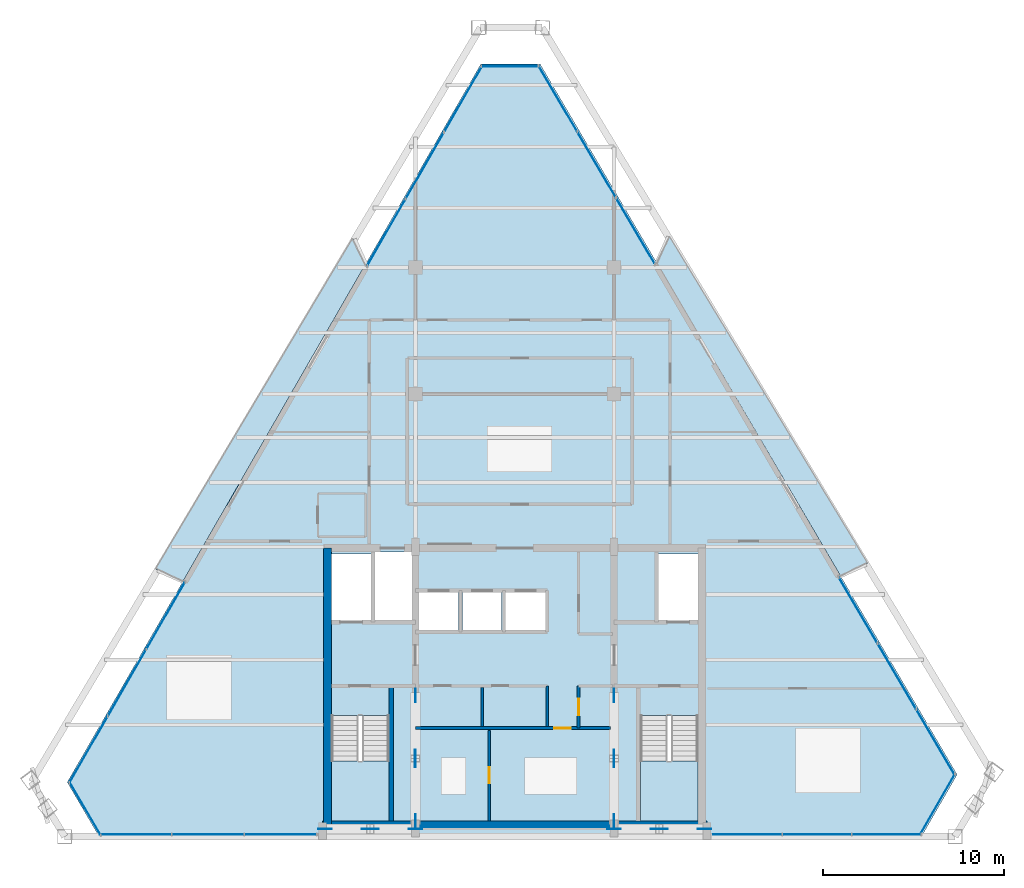
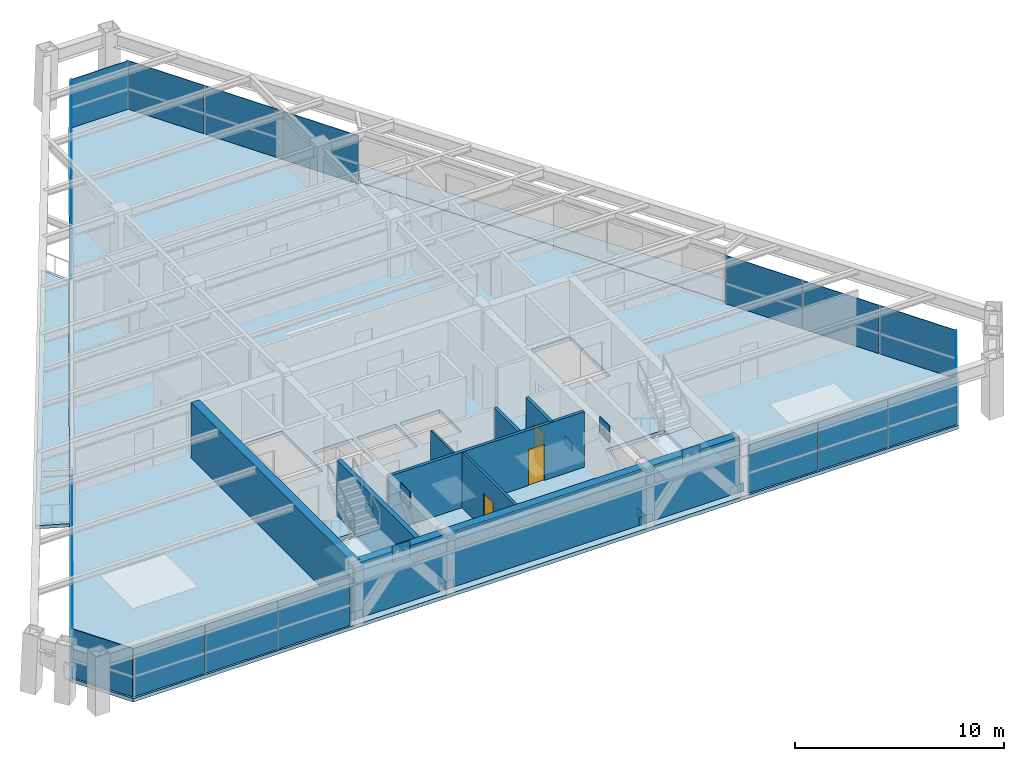
# One storey, part 8 of 13: 33 plates, 8 walls, 5 slabs, 3 doors, 3 openings, 11 elements without a shape of their own.
"""IFC4 building model written with IfcOpenShell, lengths in metres."""

from ifc_helpers import new_model, si_unit, direction, frame, frame_2d, origin, origin_2d, place, context, subcontext, project, spatial, polyline, rectangle, outline, extrude, source, transform, mapped, material, layer, layer_set, type_object, type_shapes, element, fill, aggregate, save


model = new_model("IFC4")

# Units and contexts
model_context = context("Model", 3, precision=1e-05, world=origin(), true_north=direction((0.0, 1.0)))
body_context = subcontext(model_context, "Body", "Model", "MODEL_VIEW")
ifc_project = project(units=[si_unit("LENGTHUNIT", "METRE"), si_unit("AREAUNIT", "SQUARE_METRE"), si_unit("VOLUMEUNIT", "CUBIC_METRE"), si_unit("PLANEANGLEUNIT", "RADIAN"), si_unit("MASSUNIT", "GRAM", prefix="KILO")], contexts=[model_context])

# Site, building, storey
site_placement = place(None, origin())
site = spatial("IfcSite", under=ifc_project, at=site_placement, CompositionType="ELEMENT")
building_placement = place(site_placement, origin())
building = spatial("IfcBuilding", under=site, at=building_placement, Name="Varnakhor Terracotta Tower", CompositionType="ELEMENT")
storey_placement = place(building_placement, frame((0.0, 0.0, 283.35009765625)))
storey = spatial("IfcBuildingStorey", under=building, at=storey_placement, Name="L74", CompositionType="ELEMENT", Elevation=283.35009765625)

# Slab
ifc_material_1 = material(Name="Concrete C40/50", Category="concrete")
ifc_layer_1 = layer(ifc_material_1, 0.2099609375, Name="Concrete C40/50")
ifc_layer_set_1 = layer_set([ifc_layer_1], Name="Concrete C40/50")
slab_type_1 = type_object("IfcSlabType", Name="SLB-HTL-210", PredefinedType="FLOOR", material=ifc_layer_set_1)
slab_1_placement = place(storey_placement, frame((0.0, 0.0, -0.210205078125)))
element("IfcSlab", 1, at=slab_1_placement, inside=storey, type_object=slab_type_1, Name="L74 Structural Floor Slab", PredefinedType="FLOOR", context=body_context, shape_type="SweptSolid", body=[
    extrude(outline(polyline([(-24.77734375, 3.007080078125), (-1.879150390625, 42.772705078125), (1.407958984375, 42.772705078125), (24.49560546875, 3.430908203125), (22.52001953125, 0.0), (-23.0126953125, 0.0), (-24.77734375, 3.007080078125)]), holes=[polyline([(-6.949951171875, 0.85009765625), (-6.949951171875, 6.695068359375), (-10.14990234375, 6.695068359375), (-10.14990234375, 0.85009765625), (-6.949951171875, 0.85009765625)]), polyline([(10.14990234375, 0.85009765625), (10.14990234375, 6.695068359375), (6.949951171875, 6.695068359375), (6.949951171875, 0.85009765625), (10.14990234375, 0.85009765625)]), polyline([(-3.10009765625, 11.419921875), (-3.10009765625, 13.52001953125), (-5.300048828125, 13.52001953125), (-5.300048828125, 11.419921875), (-3.10009765625, 11.419921875)]), polyline([(-0.719970703125, 11.419921875), (-0.719970703125, 13.52001953125), (-2.8798828125, 13.52001953125), (-2.8798828125, 11.419921875), (-0.719970703125, 11.419921875)]), polyline([(1.699951171875, 11.419921875), (1.699951171875, 13.52001953125), (-0.5, 13.52001953125), (-0.5, 11.419921875), (1.699951171875, 11.419921875)]), polyline([(-7.949951171875, 11.8798828125), (-7.949951171875, 15.64990234375), (-10.14990234375, 15.64990234375), (-10.14990234375, 11.8798828125), (-7.949951171875, 11.8798828125)]), polyline([(10.14990234375, 11.8798828125), (10.14990234375, 15.64990234375), (7.949951171875, 15.64990234375), (7.949951171875, 11.8798828125), (10.14990234375, 11.8798828125)]), polyline([(-5.699951171875, 11.8798828125), (-5.699951171875, 15.75), (-7.72998046875, 15.75), (-7.72998046875, 11.8798828125), (-5.699951171875, 11.8798828125)])]), origin(), (0.0, 0.0, 1.0), 0.210205078125),
])

# Stair, slab
stair_type = type_object("IfcStairType", Name="STR-CORE-HOTEL-1500", PredefinedType="HALF_TURN_STAIR", material=ifc_material_1)
stair_1_placement = place(storey_placement, origin())
stair_1 = element("IfcStair", 2, at=stair_1_placement, inside=storey, type_object=stair_type, Name="L74 Core Exit Stair ST-1", PredefinedType="HALF_TURN_STAIR")
ifc_layer_2 = layer(ifc_material_1, 0.179931640625, Name="Concrete C40/50")
ifc_layer_set_2 = layer_set([ifc_layer_2], Name="Concrete C40/50")
slab_type_2 = type_object("IfcSlabType", Name="SLB-LANDING-180", PredefinedType="LANDING", material=ifc_layer_set_2)
slab_2_placement = place(storey_placement, frame((0.0, 0.0, 1.52490234375)))
slab_2 = element("IfcSlab", 3, at=slab_2_placement, type_object=slab_type_2, Name="ST-1 landing 1", PredefinedType="LANDING", context=body_context, shape_type="SweptSolid", body=[
    extrude(outline(polyline([(-10.14990234375, 4.18994140625), (-10.14990234375, 0.85009765625), (-6.949951171875, 0.85009765625), (-6.949951171875, 4.18994140625), (-10.14990234375, 4.18994140625)])), origin(), (0.0, 0.0, 1.0), 0.199951171875),
])
aggregate(stair_1, [slab_2])

stair_2_placement = place(storey_placement, origin())
stair_2 = element("IfcStair", 4, at=stair_2_placement, inside=storey, type_object=stair_type, Name="L74 Core Exit Stair ST-2", PredefinedType="HALF_TURN_STAIR")
slab_3_placement = place(storey_placement, frame((0.0, 0.0, 1.52490234375)))
slab_3 = element("IfcSlab", 5, at=slab_3_placement, type_object=slab_type_2, Name="ST-2 landing 1", PredefinedType="LANDING", context=body_context, shape_type="SweptSolid", body=[
    extrude(outline(polyline([(6.949951171875, 4.18994140625), (6.949951171875, 0.85009765625), (10.14990234375, 0.85009765625), (10.14990234375, 4.18994140625), (6.949951171875, 4.18994140625)])), origin(), (0.0, 0.0, 1.0), 0.199951171875),
])
aggregate(stair_2, [slab_3])

# Slabs
ifc_layer_3 = layer(ifc_material_1, 0.195068359375, Name="Concrete C40/50")
ifc_layer_set_3 = layer_set([ifc_layer_3], Name="Concrete C40/50")
slab_type_3 = type_object("IfcSlabType", Name="SLB-LOGGIA-EXT-195", PredefinedType="FLOOR", material=ifc_layer_set_3)
slab_4_placement = place(storey_placement, frame((0.0, 0.0, -0.195068359375)))
element("IfcSlab", 6, at=slab_4_placement, inside=storey, type_object=slab_type_3, Name="L74 E Recessed Outdoor Loggia Slab", PredefinedType="FLOOR", context=body_context, shape_type="SweptSolid", body=[
    extrude(outline(polyline([(8.540283203125, 33.25439453125), (19.533935546875, 15.127685546875), (18.031005859375, 14.446533203125), (7.87255859375, 31.757080078125), (8.540283203125, 33.25439453125)])), origin(), (0.0, 0.0, 1.0), 0.195068359375),
])
slab_5_placement = place(storey_placement, frame((0.0, 0.0, -0.195068359375)))
element("IfcSlab", 7, at=slab_5_placement, inside=storey, type_object=slab_type_3, Name="L74 W Recessed Outdoor Loggia Slab", PredefinedType="FLOOR", context=body_context, shape_type="SweptSolid", body=[
    extrude(outline(polyline([(-19.8837890625, 14.80810546875), (-8.96435546875, 33.130126953125), (-8.290771484375, 31.638427734375), (-18.365966796875, 14.141357421875), (-19.8837890625, 14.80810546875)])), origin(), (0.0, 0.0, 1.0), 0.195068359375),
])

# Plates
ifc_material_2 = material(Name="Steel S460", Category="steel")
ifc_layer_4 = layer(ifc_material_2, 0.050048828125, Name="Steel S460")
ifc_layer_set_4 = layer_set([ifc_layer_4], Name="Steel S460")
plate_type_1 = type_object("IfcPlateType", Name="PLT-GUSSET-50", PredefinedType="USERDEFINED", material=ifc_layer_set_4)
shared_shape_1 = source(origin(), body_context, "Body", "SweptSolid", [
    extrude(rectangle(XDim=0.75, YDim=0.0400390625, at=origin_2d()), origin(), (0.0, 0.0, 1.0), 0.550048828125),
])
type_shapes(plate_type_1, [shared_shape_1])
for number, where, z_axis, x_axis, name in (
    (8, (-10.5, 0.419921875, -0.09521484375), (0.0, 0.0, 1.0), (1.0, 0.0, 0.0), "L74 Core Brace Embed Plate CSWA"),
    (9, (-5.5, 0.419921875, -0.09521484375), (0.0, 0.0, 1.0), (1.0, 0.0, 0.0), "L74 Core Brace Embed Plate CSWB"),
    (10, (5.5, 0.419921875, -0.09521484375), (0.0, 0.0, 1.0), (1.0, 0.0, 0.0), "L74 Core Brace Embed Plate CSEA"),
    (11, (10.5, 0.419921875, -0.09521484375), (0.0, 0.0, 1.0), (1.0, 0.0, 0.0), "L74 Core Brace Embed Plate CSEB"),
    (12, (-5.5, 0.85009765625, -0.09521484375), (0.0, 0.0, 1.0), (0.0, 1.0, 0.0), "L74 Core Brace Embed Plate CWWA"),
    (13, (-5.5, 7.800048828125, -0.09521484375), (0.0, 0.0, 1.0), (0.0, 1.0, 0.0), "L74 Core Brace Embed Plate CWWB"),
    (14, (5.5, 0.85009765625, -0.09521484375), (0.0, 0.0, 1.0), (0.0, 1.0, 0.0), "L74 Core Brace Embed Plate CWEA"),
    (15, (5.5, 7.800048828125, -0.09521484375), (0.0, 0.0, 1.0), (0.0, 1.0, 0.0), "L74 Core Brace Embed Plate CWEB"),
):
    element("IfcPlate", number, at=place(storey_placement, frame(where, z_axis=z_axis, x_axis=x_axis)), inside=storey, type_object=plate_type_1, Name=name, ObjectType="GUSSET PLATE", PredefinedType="USERDEFINED", context=body_context, shape_type="MappedRepresentation", body=[
        mapped(shared_shape_1, transform((0.0, 0.0, 0.0), scale=1.0)),
    ])
shared_shape_2 = source(origin(), body_context, "Body", "SweptSolid", [
    extrude(rectangle(XDim=0.949951171875, YDim=0.044921875, at=origin_2d()), origin(), (0.0, 0.0, 1.0), 0.949951171875),
])
for number, where, z_axis, x_axis, name in (
    (16, (-8.0, 0.419921875, 2.61474609375), (0.0, 0.0, 1.0), (1.0, 0.0, 0.0), "L74 Core Brace Apex Gusset CSW"),
    (17, (8.0, 0.419921875, 2.61474609375), (0.0, 0.0, 1.0), (1.0, 0.0, 0.0), "L74 Core Brace Apex Gusset CSE"),
    (18, (-5.5, 4.324951171875, 2.61474609375), (0.0, 0.0, 1.0), (0.0, 1.0, 0.0), "L74 Core Brace Apex Gusset CWW"),
    (19, (5.5, 4.324951171875, 2.61474609375), (0.0, 0.0, 1.0), (0.0, 1.0, 0.0), "L74 Core Brace Apex Gusset CWE"),
):
    element("IfcPlate", number, at=place(storey_placement, frame(where, z_axis=z_axis, x_axis=x_axis)), inside=storey, type_object=plate_type_1, Name=name, ObjectType="GUSSET PLATE", PredefinedType="USERDEFINED", context=body_context, shape_type="MappedRepresentation", body=[
        mapped(shared_shape_2, transform((0.0, 0.0, 0.0), scale=1.0)),
    ])

# Curtain wall, plate
ifc_material_3 = material(Name="Anodised Aluminium Curtain Wall System", Category="aluminium")
curtain_wall_type = type_object("IfcCurtainWallType", Name="CW-SYS-HOTEL-LOGGIA", PredefinedType="NOTDEFINED", material=ifc_material_3)
curtain_wall_1_placement = place(storey_placement, origin())
curtain_wall_1 = element("IfcCurtainWall", 20, at=curtain_wall_1_placement, inside=storey, type_object=curtain_wall_type, Name="L74 Facet Curtain Wall 4", PredefinedType="NOTDEFINED")
ifc_material_4 = material(Name="Solar-Control Low-E Insulated Glass Panel", Category="glass")
ifc_layer_5 = layer(ifc_material_4, 0.033935546875, Name="Solar-Control Low-E Insulated Glass Panel")
ifc_layer_set_5 = layer_set([ifc_layer_5], Name="Solar-Control Low-E Insulated Glass Panel")
plate_type_2 = type_object("IfcPlateType", Name="CWP-04", PredefinedType="CURTAIN_PANEL", material=ifc_layer_set_5)
shared_shape_3 = source(origin(), body_context, "Body", "SweptSolid", [
    extrude(rectangle(XDim=3.85888671875, YDim=0.035888671875, at=origin_2d()), origin(), (0.0, 0.0, 1.0), 2.820068359375),
])
plate_1_placement = place(storey_placement, frame((23.40380859375, 1.775390625, 0.0), z_axis=(0.0, 0.0, 1.0), x_axis=(-0.499017203803, -0.866592078379, 0.0)))
plate_1 = element("IfcPlate", 21, at=plate_1_placement, type_object=plate_type_2, Name="L74 Facet Curtain Wall 4 Glazed Panel 1", PredefinedType="CURTAIN_PANEL", context=body_context, shape_type="MappedRepresentation", body=[
    mapped(shared_shape_3, transform((0.0, 0.0, 0.0), scale=1.0)),
])
aggregate(curtain_wall_1, [plate_1])

# Curtain wall, plates
curtain_wall_2_placement = place(storey_placement, origin())
curtain_wall_2 = element("IfcCurtainWall", 22, at=curtain_wall_2_placement, inside=storey, type_object=curtain_wall_type, Name="L74 W Facet Curtain Wall 1", PredefinedType="NOTDEFINED")
shared_shape_4 = source(origin(), body_context, "Body", "SweptSolid", [
    extrude(rectangle(XDim=4.222900390625, YDim=0.035888671875, at=origin_2d()), origin(), (0.0, 0.0, 1.0), 2.820068359375),
])
plate_2_placement = place(storey_placement, frame((-23.594970703125, 4.8203125, 0.0), z_axis=(0.0, 0.0, 1.0), x_axis=(0.499002078842, 0.86660078774, 0.0)))
plate_2 = element("IfcPlate", 23, at=plate_2_placement, type_object=plate_type_2, Name="L74 W Facet Curtain Wall 1 Glazed Panel 1", PredefinedType="CURTAIN_PANEL", context=body_context, shape_type="MappedRepresentation", body=[
    mapped(shared_shape_4, transform((0.0, 0.0, 0.0), scale=1.0)),
])
plate_3_placement = place(storey_placement, frame((-21.4677734375, 8.514404296875, 0.0), z_axis=(0.0, 0.0, 1.0), x_axis=(0.499002078842, 0.86660078774, 0.0)))
plate_3 = element("IfcPlate", 24, at=plate_3_placement, type_object=plate_type_2, Name="L74 W Facet Curtain Wall 1 Glazed Panel 2", PredefinedType="CURTAIN_PANEL", context=body_context, shape_type="MappedRepresentation", body=[
    mapped(shared_shape_4, transform((0.0, 0.0, 0.0), scale=1.0)),
])
plate_4_placement = place(storey_placement, frame((-19.340576171875, 12.20849609375, 0.0), z_axis=(0.0, 0.0, 1.0), x_axis=(0.499002078842, 0.86660078774, 0.0)))
plate_4 = element("IfcPlate", 25, at=plate_4_placement, type_object=plate_type_2, Name="L74 W Facet Curtain Wall 1 Glazed Panel 3", PredefinedType="CURTAIN_PANEL", context=body_context, shape_type="MappedRepresentation", body=[
    mapped(shared_shape_4, transform((0.0, 0.0, 0.0), scale=1.0)),
])
aggregate(curtain_wall_2, [plate_2, plate_3, plate_4])

curtain_wall_3_placement = place(storey_placement, origin())
curtain_wall_3 = element("IfcCurtainWall", 26, at=curtain_wall_3_placement, inside=storey, type_object=curtain_wall_type, Name="L74 W Facet Curtain Wall 2", PredefinedType="NOTDEFINED")
plate_5_placement = place(storey_placement, frame((-7.108154296875, 33.451416015625, 0.0), z_axis=(0.0, 0.0, 1.0), x_axis=(0.499002078842, 0.86660078774, 0.0)))
plate_5 = element("IfcPlate", 27, at=plate_5_placement, type_object=plate_type_2, Name="L74 W Facet Curtain Wall 2 Glazed Panel 1", PredefinedType="CURTAIN_PANEL", context=body_context, shape_type="MappedRepresentation", body=[
    mapped(shared_shape_4, transform((0.0, 0.0, 0.0), scale=1.0)),
])
plate_6_placement = place(storey_placement, frame((-4.98095703125, 37.145751953125, 0.0), z_axis=(0.0, 0.0, 1.0), x_axis=(0.499002078842, 0.86660078774, 0.0)))
plate_6 = element("IfcPlate", 28, at=plate_6_placement, type_object=plate_type_2, Name="L74 W Facet Curtain Wall 2 Glazed Panel 2", PredefinedType="CURTAIN_PANEL", context=body_context, shape_type="MappedRepresentation", body=[
    mapped(shared_shape_4, transform((0.0, 0.0, 0.0), scale=1.0)),
])
plate_7_placement = place(storey_placement, frame((-2.853759765625, 40.83984375, 0.0), z_axis=(0.0, 0.0, 1.0), x_axis=(0.499002078842, 0.86660078774, 0.0)))
plate_7 = element("IfcPlate", 29, at=plate_7_placement, type_object=plate_type_2, Name="L74 W Facet Curtain Wall 2 Glazed Panel 3", PredefinedType="CURTAIN_PANEL", context=body_context, shape_type="MappedRepresentation", body=[
    mapped(shared_shape_4, transform((0.0, 0.0, 0.0), scale=1.0)),
])
aggregate(curtain_wall_3, [plate_5, plate_6, plate_7])

# Curtain wall, plate
curtain_wall_4_placement = place(storey_placement, origin())
curtain_wall_4 = element("IfcCurtainWall", 30, at=curtain_wall_4_placement, inside=storey, type_object=curtain_wall_type, Name="L74 Facet Curtain Wall 2", PredefinedType="NOTDEFINED")
shared_shape_5 = source(origin(), body_context, "Body", "SweptSolid", [
    extrude(rectangle(XDim=3.18701171875, YDim=0.035888671875, at=origin_2d()), origin(), (0.0, 0.0, 1.0), 2.820068359375),
])
plate_8_placement = place(storey_placement, frame((-0.235595703125, 42.65283203125, 0.0), z_axis=(0.0, 0.0, 1.0), x_axis=(1.0, 0.0, 0.0)))
plate_8 = element("IfcPlate", 31, at=plate_8_placement, type_object=plate_type_2, Name="L74 Facet Curtain Wall 2 Glazed Panel 1", PredefinedType="CURTAIN_PANEL", context=body_context, shape_type="MappedRepresentation", body=[
    mapped(shared_shape_5, transform((0.0, 0.0, 0.0), scale=1.0)),
])
aggregate(curtain_wall_4, [plate_8])

# Curtain wall, plates
curtain_wall_5_placement = place(storey_placement, origin())
curtain_wall_5 = element("IfcCurtainWall", 32, at=curtain_wall_5_placement, inside=storey, type_object=curtain_wall_type, Name="L74 E Facet Curtain Wall 1", PredefinedType="NOTDEFINED")
shared_shape_6 = source(origin(), body_context, "Body", "SweptSolid", [
    extrude(rectangle(XDim=4.197509765625, YDim=0.035888671875, at=origin_2d()), origin(), (0.0, 0.0, 1.0), 2.820068359375),
])
plate_9_placement = place(storey_placement, frame((2.39208984375, 40.85888671875, 0.0), z_axis=(0.0, 0.0, 1.0), x_axis=(0.506124083567, -0.862460672746, 0.0)))
plate_9 = element("IfcPlate", 33, at=plate_9_placement, type_object=plate_type_2, Name="L74 E Facet Curtain Wall 1 Glazed Panel 1", PredefinedType="CURTAIN_PANEL", context=body_context, shape_type="MappedRepresentation", body=[
    mapped(shared_shape_6, transform((0.0, 0.0, 0.0), scale=1.0)),
])
plate_10_placement = place(storey_placement, frame((4.53662109375, 37.2041015625, 0.0), z_axis=(0.0, 0.0, 1.0), x_axis=(0.506124083567, -0.862460672746, 0.0)))
plate_10 = element("IfcPlate", 34, at=plate_10_placement, type_object=plate_type_2, Name="L74 E Facet Curtain Wall 1 Glazed Panel 2", PredefinedType="CURTAIN_PANEL", context=body_context, shape_type="MappedRepresentation", body=[
    mapped(shared_shape_6, transform((0.0, 0.0, 0.0), scale=1.0)),
])
plate_11_placement = place(storey_placement, frame((6.681396484375, 33.549560546875, 0.0), z_axis=(0.0, 0.0, 1.0), x_axis=(0.506124083567, -0.862460672746, 0.0)))
plate_11 = element("IfcPlate", 35, at=plate_11_placement, type_object=plate_type_2, Name="L74 E Facet Curtain Wall 1 Glazed Panel 3", PredefinedType="CURTAIN_PANEL", context=body_context, shape_type="MappedRepresentation", body=[
    mapped(shared_shape_6, transform((0.0, 0.0, 0.0), scale=1.0)),
])
aggregate(curtain_wall_5, [plate_9, plate_10, plate_11])

curtain_wall_6_placement = place(storey_placement, origin())
curtain_wall_6 = element("IfcCurtainWall", 36, at=curtain_wall_6_placement, inside=storey, type_object=curtain_wall_type, Name="L74 E Facet Curtain Wall 2", PredefinedType="NOTDEFINED")
plate_12_placement = place(storey_placement, frame((19.01513671875, 12.53271484375, 0.0), z_axis=(0.0, 0.0, 1.0), x_axis=(0.506124083567, -0.862460672746, 0.0)))
plate_12 = element("IfcPlate", 37, at=plate_12_placement, type_object=plate_type_2, Name="L74 E Facet Curtain Wall 2 Glazed Panel 1", PredefinedType="CURTAIN_PANEL", context=body_context, shape_type="MappedRepresentation", body=[
    mapped(shared_shape_6, transform((0.0, 0.0, 0.0), scale=1.0)),
])
plate_13_placement = place(storey_placement, frame((21.159912109375, 8.8779296875, 0.0), z_axis=(0.0, 0.0, 1.0), x_axis=(0.506124083567, -0.862460672746, 0.0)))
plate_13 = element("IfcPlate", 38, at=plate_13_placement, type_object=plate_type_2, Name="L74 E Facet Curtain Wall 2 Glazed Panel 2", PredefinedType="CURTAIN_PANEL", context=body_context, shape_type="MappedRepresentation", body=[
    mapped(shared_shape_6, transform((0.0, 0.0, 0.0), scale=1.0)),
])
plate_14_placement = place(storey_placement, frame((23.304443359375, 5.223388671875, 0.0), z_axis=(0.0, 0.0, 1.0), x_axis=(0.506124083567, -0.862460672746, 0.0)))
plate_14 = element("IfcPlate", 39, at=plate_14_placement, type_object=plate_type_2, Name="L74 E Facet Curtain Wall 2 Glazed Panel 3", PredefinedType="CURTAIN_PANEL", context=body_context, shape_type="MappedRepresentation", body=[
    mapped(shared_shape_6, transform((0.0, 0.0, 0.0), scale=1.0)),
])
aggregate(curtain_wall_6, [plate_12, plate_13, plate_14])

curtain_wall_7_placement = place(storey_placement, origin())
curtain_wall_7 = element("IfcCurtainWall", 40, at=curtain_wall_7_placement, inside=storey, type_object=curtain_wall_type, Name="L74 South Wing Curtain Wall SSE", PredefinedType="NOTDEFINED")
shared_shape_7 = source(origin(), body_context, "Body", "SweptSolid", [
    extrude(rectangle(XDim=3.806640625, YDim=0.035888671875, at=origin_2d()), origin(), (0.0, 0.0, 1.0), 2.820068359375),
])
plate_15_placement = place(storey_placement, frame((20.586669921875, 0.1201171875, 0.0), z_axis=(0.0, 0.0, 1.0), x_axis=(-1.0, 0.0, 0.0)))
plate_15 = element("IfcPlate", 41, at=plate_15_placement, type_object=plate_type_2, Name="L74 South Wing Curtain Wall SSE Glazed Panel 1", PredefinedType="CURTAIN_PANEL", context=body_context, shape_type="MappedRepresentation", body=[
    mapped(shared_shape_7, transform((0.0, 0.0, 0.0), scale=1.0)),
])
plate_16_placement = place(storey_placement, frame((16.739990234375, 0.1201171875, 0.0), z_axis=(0.0, 0.0, 1.0), x_axis=(-1.0, 0.0, 0.0)))
plate_16 = element("IfcPlate", 42, at=plate_16_placement, type_object=plate_type_2, Name="L74 South Wing Curtain Wall SSE Glazed Panel 2", PredefinedType="CURTAIN_PANEL", context=body_context, shape_type="MappedRepresentation", body=[
    mapped(shared_shape_7, transform((0.0, 0.0, 0.0), scale=1.0)),
])
plate_17_placement = place(storey_placement, frame((12.893310546875, 0.1201171875, 0.0), z_axis=(0.0, 0.0, 1.0), x_axis=(-1.0, 0.0, 0.0)))
plate_17 = element("IfcPlate", 43, at=plate_17_placement, type_object=plate_type_2, Name="L74 South Wing Curtain Wall SSE Glazed Panel 3", PredefinedType="CURTAIN_PANEL", context=body_context, shape_type="MappedRepresentation", body=[
    mapped(shared_shape_7, transform((0.0, 0.0, 0.0), scale=1.0)),
])
aggregate(curtain_wall_7, [plate_15, plate_16, plate_17])

curtain_wall_8_placement = place(storey_placement, origin())
curtain_wall_8 = element("IfcCurtainWall", 44, at=curtain_wall_8_placement, inside=storey, type_object=curtain_wall_type, Name="L74 South Wing Curtain Wall SSW", PredefinedType="NOTDEFINED")
shared_shape_8 = source(origin(), body_context, "Body", "SweptSolid", [
    extrude(rectangle(XDim=3.970947265625, YDim=0.035888671875, at=origin_2d()), origin(), (0.0, 0.0, 1.0), 2.820068359375),
])
plate_18_placement = place(storey_placement, frame((-12.9755859375, 0.1201171875, 0.0), z_axis=(0.0, 0.0, 1.0), x_axis=(-1.0, 0.0, 0.0)))
plate_18 = element("IfcPlate", 45, at=plate_18_placement, type_object=plate_type_2, Name="L74 South Wing Curtain Wall SSW Glazed Panel 1", PredefinedType="CURTAIN_PANEL", context=body_context, shape_type="MappedRepresentation", body=[
    mapped(shared_shape_8, transform((0.0, 0.0, 0.0), scale=1.0)),
])
plate_19_placement = place(storey_placement, frame((-16.986328125, 0.1201171875, 0.0), z_axis=(0.0, 0.0, 1.0), x_axis=(-1.0, 0.0, 0.0)))
plate_19 = element("IfcPlate", 46, at=plate_19_placement, type_object=plate_type_2, Name="L74 South Wing Curtain Wall SSW Glazed Panel 2", PredefinedType="CURTAIN_PANEL", context=body_context, shape_type="MappedRepresentation", body=[
    mapped(shared_shape_8, transform((0.0, 0.0, 0.0), scale=1.0)),
])
plate_20_placement = place(storey_placement, frame((-20.997314453125, 0.1201171875, 0.0), z_axis=(0.0, 0.0, 1.0), x_axis=(-1.0, 0.0, 0.0)))
plate_20 = element("IfcPlate", 47, at=plate_20_placement, type_object=plate_type_2, Name="L74 South Wing Curtain Wall SSW Glazed Panel 3", PredefinedType="CURTAIN_PANEL", context=body_context, shape_type="MappedRepresentation", body=[
    mapped(shared_shape_8, transform((0.0, 0.0, 0.0), scale=1.0)),
])
aggregate(curtain_wall_8, [plate_18, plate_19, plate_20])

# Curtain wall, plate
curtain_wall_9_placement = place(storey_placement, origin())
curtain_wall_9 = element("IfcCurtainWall", 48, at=curtain_wall_9_placement, inside=storey, type_object=curtain_wall_type, Name="L74 Facet Curtain Wall 6", PredefinedType="NOTDEFINED")
shared_shape_9 = source(origin(), body_context, "Body", "SweptSolid", [
    extrude(rectangle(XDim=3.38671875, YDim=0.035888671875, at=origin_2d()), origin(), (0.0, 0.0, 1.0), 2.820068359375),
])
plate_21_placement = place(storey_placement, frame((-23.79150390625, 1.564208984375, 0.0), z_axis=(0.0, 0.0, 1.0), x_axis=(-0.506124083567, 0.862460672746, 0.0)))
plate_21 = element("IfcPlate", 49, at=plate_21_placement, type_object=plate_type_2, Name="L74 Facet Curtain Wall 6 Glazed Panel 1", PredefinedType="CURTAIN_PANEL", context=body_context, shape_type="MappedRepresentation", body=[
    mapped(shared_shape_9, transform((0.0, 0.0, 0.0), scale=1.0)),
])
aggregate(curtain_wall_9, [plate_21])

# Walls
ifc_material_5 = material(Name="Concrete C50/60", Category="concrete")
ifc_layer_6 = layer(ifc_material_5, 0.449951171875, Name="Concrete C50/60")
ifc_layer_set_6 = layer_set([ifc_layer_6], Name="Concrete C50/60")
wall_type_1 = type_object("IfcWallType", Name="WAL-CORE-450", PredefinedType="SHEAR", material=ifc_layer_set_6)
wall_1_placement = place(storey_placement, frame((-10.64990234375, 0.625, 0.0), z_axis=(0.0, 0.0, 1.0), x_axis=(1.0, 0.0, 0.0)))
element("IfcWall", 50, at=wall_1_placement, inside=storey, type_object=wall_type_1, Name="L74 South Core Shear Wall", PredefinedType="SHEAR", context=body_context, shape_type="SweptSolid", body=[
    extrude(rectangle(XDim=21.2998046875, YDim=0.449951171875, at=frame_2d((10.64990234375, 0.0))), origin(), (0.0, 0.0, 1.0), 3.239990234375),
])
wall_2_placement = place(storey_placement, frame((-10.375, 0.625, 0.0), z_axis=(0.0, 0.0, 1.0), x_axis=(0.0, 1.0, 0.0)))
element("IfcWall", 51, at=wall_2_placement, inside=storey, type_object=wall_type_1, Name="L74 West Core Shear Wall", PredefinedType="SHEAR", context=body_context, shape_type="SweptSolid", body=[
    extrude(rectangle(XDim=15.35009765625, YDim=0.449951171875, at=frame_2d((7.675048828125, 0.0))), origin(), (0.0, 0.0, 1.0), 3.239990234375),
])
ifc_layer_7 = layer(ifc_material_1, 0.25, Name="Concrete C40/50")
ifc_layer_set_7 = layer_set([ifc_layer_7], Name="Concrete C40/50")
wall_type_2 = type_object("IfcWallType", Name="WAL-SHAFT-250", PredefinedType="SOLIDWALL", material=ifc_layer_set_7)
wall_3_placement = place(storey_placement, frame((-6.85009765625, 0.85009765625, 0.0), z_axis=(0.0, 0.0, 1.0), x_axis=(0.0, 1.0, 0.0)))
element("IfcWall", 52, at=wall_3_placement, inside=storey, type_object=wall_type_2, Name="L74 Stair ST-1 Bearing Shaft Wall", PredefinedType="SOLIDWALL", context=body_context, shape_type="SweptSolid", body=[
    extrude(rectangle(XDim=7.5, YDim=0.25, at=frame_2d((3.75, 0.0))), origin(), (0.0, 0.0, 1.0), 3.239990234375),
])
ifc_material_6 = material(Name="Acoustic Fire-Rated Partition", Category="gypsum")
ifc_layer_8 = layer(ifc_material_6, 0.114990234375, Name="Acoustic Fire-Rated Partition")
ifc_layer_set_8 = layer_set([ifc_layer_8], Name="Acoustic Fire-Rated Partition")
wall_type_3 = type_object("IfcWallType", Name="WAL-TENANCY-115", PredefinedType="PARTITIONING", material=ifc_layer_set_8)
wall_4_placement = place(storey_placement, frame((-1.800048828125, 6.10009765625, 0.0), z_axis=(0.0, 0.0, 1.0), x_axis=(0.0, 1.0, 0.0)))
element("IfcWall", 53, at=wall_4_placement, inside=storey, type_object=wall_type_3, Name="L74 Reclaimed Mid-Core Split Wall", PredefinedType="PARTITIONING", context=body_context, shape_type="SweptSolid", body=[
    extrude(rectangle(XDim=2.14990234375, YDim=0.114990234375, at=frame_2d((1.074951171875, 0.0))), origin(), (0.0, 0.0, 1.0), 3.23193359375),
])

# Wall, opening, door
ifc_layer_9 = layer(ifc_material_6, 0.139892578125, Name="Acoustic Fire-Rated Partition")
ifc_layer_set_9 = layer_set([ifc_layer_9], Name="Acoustic Fire-Rated Partition")
wall_type_4 = type_object("IfcWallType", Name="WAL-TENANCY-140", PredefinedType="PARTITIONING", material=ifc_layer_set_9)
wall_5_placement = place(storey_placement, frame((-1.39990234375, 0.85009765625, 0.0), z_axis=(0.0, 0.0, 1.0), x_axis=(0.0, 1.0, 0.0)))
wall_5 = element("IfcWall", 54, at=wall_5_placement, inside=storey, type_object=wall_type_4, Name="L74 Reclaimed Core Bay Split Wall", PredefinedType="PARTITIONING", context=body_context, shape_type="SweptSolid", body=[
    extrude(rectangle(XDim=5.02978515625, YDim=0.139892578125, at=frame_2d((2.514892578125, 0.0))), origin(), (0.0, 0.0, 1.0), 3.23193359375),
])
opening_1_placement = place(wall_5_placement, frame((2.10009765625, 0.0, 0.0)))
opening_1 = element("IfcOpeningElement", 55, at=opening_1_placement, cuts=wall_5, Name="Opening DR-67", PredefinedType="OPENING", context=body_context, shape_type="SweptSolid", body=[
    extrude(rectangle(XDim=0.89990234375, YDim=2.10009765625, at=frame_2d((0.449951171875, 1.050048828125))), frame((0.0, 0.080078125, 0.0), z_axis=(0.0, -1.0, 0.0), x_axis=(1.0, 0.0, 0.0)), (0.0, 0.0, 1.0), 0.159912109375),
])
ifc_material_7 = material(Name="Steel Service Riser Fire Door", Category="steel")
door_type = type_object("IfcDoorType", Name="DR-RISER-900X2100", OperationType="NOTDEFINED", PredefinedType="DOOR", material=ifc_material_7)
shared_shape_10 = source(origin(), body_context, "Body", "SweptSolid", [
    extrude(rectangle(XDim=0.89990234375, YDim=2.10009765625, at=frame_2d((0.449951171875, 1.050048828125))), frame((0.0, 0.02490234375, 0.0), z_axis=(0.0, -1.0, 0.0), x_axis=(1.0, 0.0, 0.0)), (0.0, 0.0, 1.0), 0.050048828125),
])
type_shapes(door_type, [shared_shape_10])
door_1_placement = place(opening_1_placement, origin())
door_1 = element("IfcDoor", 56, at=door_1_placement, inside=storey, type_object=door_type, Name="L74 Core Inner Service Door", OperationType="SINGLE_SWING_RIGHT", OverallHeight=2.10009765625, OverallWidth=0.89990234375, PredefinedType="DOOR", context=body_context, shape_type="MappedRepresentation", body=[
    mapped(shared_shape_10, transform((0.0, 0.0, 0.0), scale=1.0)),
])
fill(opening_1, door_1)

ifc_layer_10 = layer(ifc_material_6, 0.1650390625, Name="Acoustic Fire-Rated Partition")
ifc_layer_set_10 = layer_set([ifc_layer_10], Name="Acoustic Fire-Rated Partition")
wall_type_5 = type_object("IfcWallType", Name="WAL-TENANCY-165", PredefinedType="PARTITIONING", material=ifc_layer_set_10)
wall_6_placement = place(storey_placement, frame((-5.5, 6.0, 0.0), z_axis=(0.0, 0.0, 1.0), x_axis=(1.0, 0.0, 0.0)))
wall_6 = element("IfcWall", 57, at=wall_6_placement, inside=storey, type_object=wall_type_5, Name="L74 Reclaimed Core Bay North Rated Wall", PredefinedType="PARTITIONING", context=body_context, shape_type="SweptSolid", body=[
    extrude(rectangle(XDim=10.800048828125, YDim=0.1650390625, at=frame_2d((5.39990234375, 0.0))), origin(), (0.0, 0.0, 1.0), 3.23193359375),
])
opening_2_placement = place(wall_6_placement, frame((7.699951171875, 0.0, 0.0)))
opening_2 = element("IfcOpeningElement", 58, at=opening_2_placement, cuts=wall_6, Name="Opening DR-67", PredefinedType="OPENING", context=body_context, shape_type="SweptSolid", body=[
    extrude(rectangle(XDim=0.89990234375, YDim=2.10009765625, at=frame_2d((0.449951171875, 1.050048828125))), frame((0.0, 0.092529296875, 0.0), z_axis=(0.0, -1.0, 0.0), x_axis=(1.0, 0.0, 0.0)), (0.0, 0.0, 1.0), 0.18505859375),
])
door_2_placement = place(opening_2_placement, origin())
door_2 = element("IfcDoor", 59, at=door_2_placement, inside=storey, type_object=door_type, Name="L74 Core Reclaimed Suite Door", OperationType="SINGLE_SWING_LEFT", OverallHeight=2.10009765625, OverallWidth=0.89990234375, PredefinedType="DOOR", context=body_context, shape_type="MappedRepresentation", body=[
    mapped(shared_shape_10, transform((0.0, 0.0, 0.0), scale=1.0)),
])
fill(opening_2, door_2)

wall_7_placement = place(storey_placement, frame((3.5400390625, 6.0, 0.0), z_axis=(0.0, 0.0, 1.0), x_axis=(0.0, 1.0, 0.0)))
wall_7 = element("IfcWall", 60, at=wall_7_placement, inside=storey, type_object=wall_type_5, Name="L74 Accessible WC Rated Wall", PredefinedType="PARTITIONING", context=body_context, shape_type="SweptSolid", body=[
    extrude(rectangle(XDim=2.340087890625, YDim=0.1650390625, at=frame_2d((1.169921875, 0.0))), origin(), (0.0, 0.0, 1.0), 3.23193359375),
])
opening_3_placement = place(wall_7_placement, frame((0.719970703125, 0.0, 0.0)))
opening_3 = element("IfcOpeningElement", 61, at=opening_3_placement, cuts=wall_7, Name="Opening DR-67", PredefinedType="OPENING", context=body_context, shape_type="SweptSolid", body=[
    extrude(rectangle(XDim=0.89990234375, YDim=2.10009765625, at=frame_2d((0.449951171875, 1.050048828125))), frame((0.0, 0.092529296875, 0.0), z_axis=(0.0, -1.0, 0.0), x_axis=(1.0, 0.0, 0.0)), (0.0, 0.0, 1.0), 0.18505859375),
])
door_3_placement = place(opening_3_placement, origin())
door_3 = element("IfcDoor", 62, at=door_3_placement, inside=storey, type_object=door_type, Name="L74 Accessible WC Door", OperationType="SINGLE_SWING_LEFT", OverallHeight=2.10009765625, OverallWidth=0.89990234375, PredefinedType="DOOR", context=body_context, shape_type="MappedRepresentation", body=[
    mapped(shared_shape_10, transform((0.0, 0.0, 0.0), scale=1.0)),
])
fill(opening_3, door_3)

# Wall
wall_8_placement = place(storey_placement, frame((1.800048828125, 6.10009765625, 0.0), z_axis=(0.0, 0.0, 1.0), x_axis=(0.0, 1.0, 0.0)))
element("IfcWall", 63, at=wall_8_placement, inside=storey, type_object=wall_type_5, Name="L74 Reclaimed Mid-Core East Wall", PredefinedType="PARTITIONING", context=body_context, shape_type="SweptSolid", body=[
    extrude(rectangle(XDim=2.25, YDim=0.1650390625, at=frame_2d((1.125, 0.0))), origin(), (0.0, 0.0, 1.0), 3.23193359375),
])

save(model, "model.ifc")
